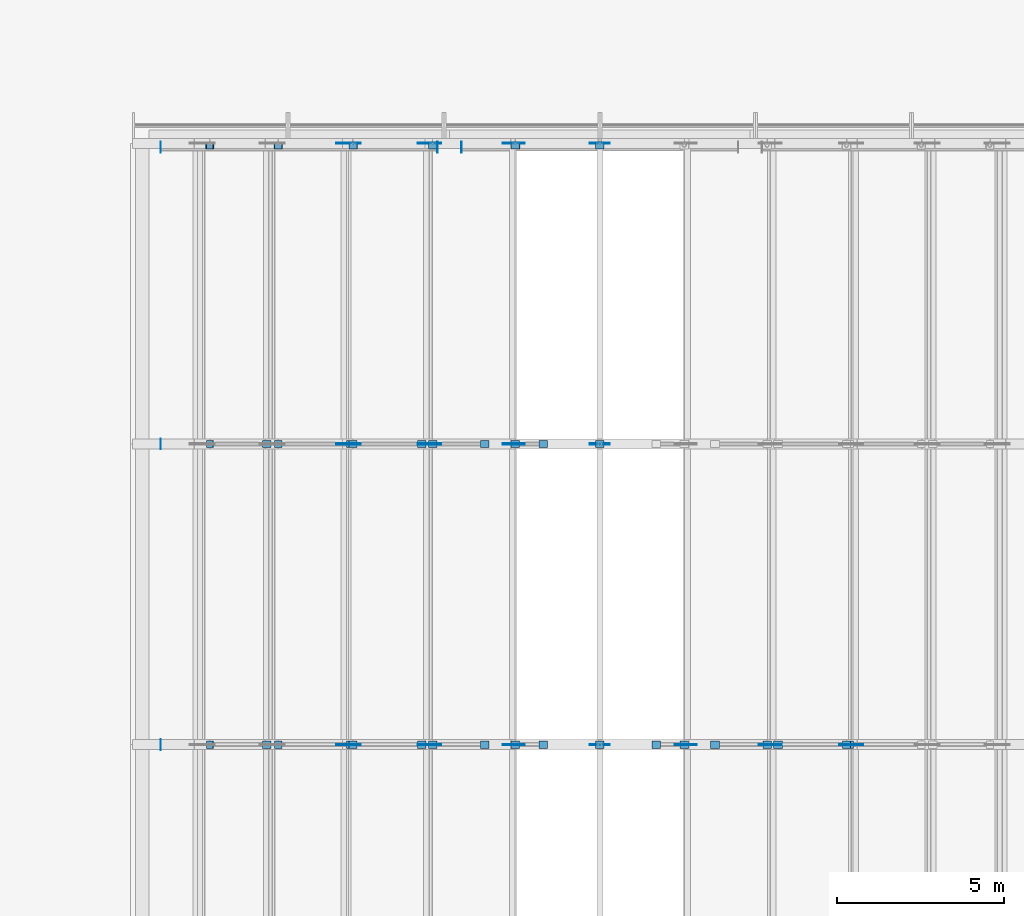
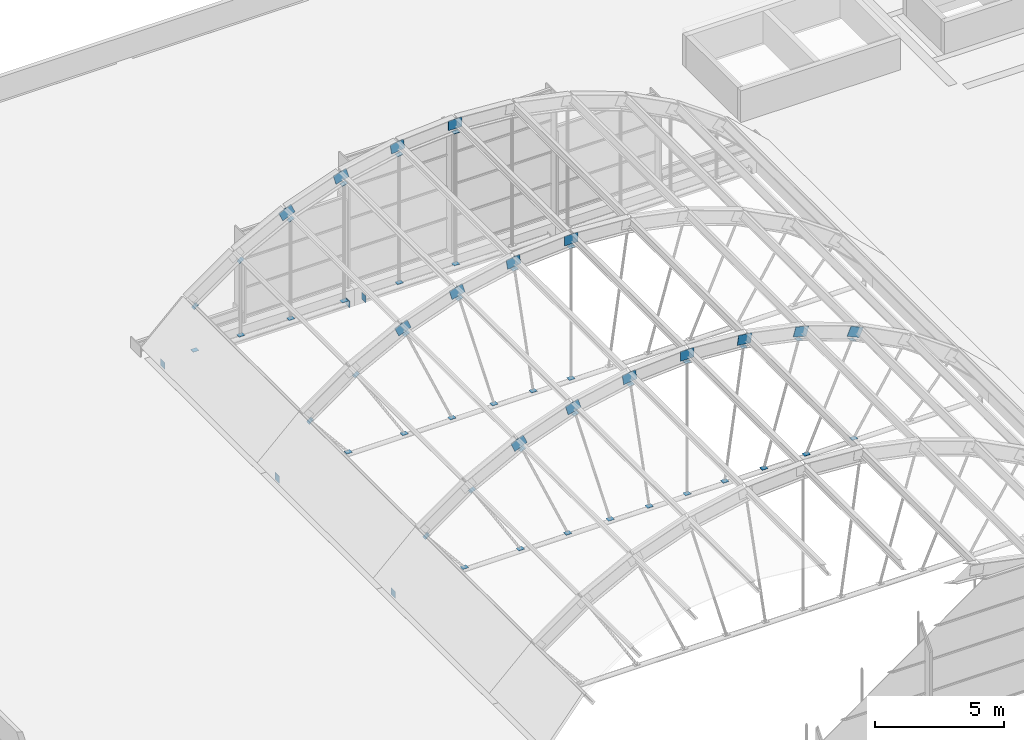
# One storey, part 39 of 43: 78 discrete accessories.
"""IFC4 building model written with IfcOpenShell, lengths in metres."""

from ifc_helpers import new_model, si_unit, direction, frame, origin, origin_2d, place, context, subcontext, project, spatial, rectangle, extrude, material, material_profile, profile_set, type_object, element, save


model = new_model("IFC4")

# Units and contexts
model_context = context("Model", 3, precision=1e-05, world=origin(), true_north=direction((0.0, 1.0)))
body_context = subcontext(model_context, "Body", "Model", "MODEL_VIEW")
ifc_project = project(units=[si_unit("LENGTHUNIT", "METRE"), si_unit("AREAUNIT", "SQUARE_METRE"), si_unit("VOLUMEUNIT", "CUBIC_METRE"), si_unit("PLANEANGLEUNIT", "RADIAN"), si_unit("MASSUNIT", "GRAM", prefix="KILO")], contexts=[model_context])

# Site, building, storey
site_placement = place(None, origin())
site = spatial("IfcSite", under=ifc_project, at=site_placement, CompositionType="ELEMENT")
building_placement = place(site_placement, origin())
building = spatial("IfcBuilding", under=site, at=building_placement, Name="Guidao Yard Department Store", CompositionType="ELEMENT")
storey_placement = place(building_placement, frame((0.0, 0.0, 28.5)))
storey = spatial("IfcBuildingStorey", under=building, at=storey_placement, Name="L06", CompositionType="ELEMENT", Elevation=28.5)

# Discrete accessories
ifc_material_1 = material(Name="Steel Q355B", Category="steel")
ifc_material_profile_1 = material_profile(ifc_material_1, rectangle(XDim=0.011962890625, YDim=0.449951171875, at=origin_2d()), Name="Splice plate 450x12")
ifc_profile_set_1 = profile_set([ifc_material_profile_1], Name="Steel Q355B")
discrete_accessory_type_1 = type_object("IfcDiscreteAccessoryType", Name="Rib splice plate SP2 steel", PredefinedType="BRACKET", material=ifc_profile_set_1)
for number, where, z_axis, x_axis, name in (
    (1, (23.69873046875, 71.987548828125, 4.56689453125), (0.916642434779, 0.0, 0.399708202022), (0.0, 1.0, 0.0), "Rib splice plate A03-03A"),
    (2, (23.69873046875, 72.012451171875, 4.56689453125), (0.916642434779, 0.0, 0.399708202022), (0.0, 1.0, 0.0), "Rib splice plate A03-03B"),
):
    element("IfcDiscreteAccessory", number, at=place(storey_placement, frame(where, z_axis=z_axis, x_axis=x_axis)), inside=storey, type_object=discrete_accessory_type_1, Name=name, PredefinedType="BRACKET", context=body_context, shape_type="SweptSolid", body=[
        extrude(rectangle(XDim=0.011962890625, YDim=0.449951171875, at=origin_2d()), origin(), (0.0, 0.0, 1.0), 0.599853515625),
    ])
for number, where, z_axis, x_axis, name in (
    (3, (26.11083984375, 71.987548828125, 5.470703125), (0.962697322313, 0.0, 0.270580608342), (0.0, 1.0, 0.0), "Rib splice plate A03-04A"),
    (4, (26.11083984375, 72.012451171875, 5.470703125), (0.962697322313, 0.0, 0.270580608342), (0.0, 1.0, 0.0), "Rib splice plate A03-04B"),
    (5, (28.627685546875, 71.987548828125, 6.036865234375), (0.990613532421, 0.0, 0.13669246279), (0.0, 1.0, 0.0), "Rib splice plate A03-05A"),
    (6, (28.627685546875, 72.012451171875, 6.036865234375), (0.990613532421, 0.0, 0.13669246279), (0.0, 1.0, 0.0), "Rib splice plate A03-05B"),
    (7, (31.199951171875, 71.987548828125, 6.25439453125), (1.0, 0.0, 0.0), (0.0, 1.0, 0.0), "Rib splice plate A03-06A"),
    (8, (31.199951171875, 72.012451171875, 6.25439453125), (1.0, 0.0, 0.0), (0.0, 1.0, 0.0), "Rib splice plate A03-06B"),
    (9, (33.77783203125, 71.987548828125, 6.118896484375), (0.990613532421, 0.0, -0.13669246279), (0.0, 1.0, 0.0), "Rib splice plate A03-07A"),
    (10, (33.77783203125, 72.012451171875, 6.118896484375), (0.990613532421, 0.0, -0.13669246279), (0.0, 1.0, 0.0), "Rib splice plate A03-07B"),
    (11, (36.3115234375, 71.987548828125, 5.633056640625), (0.962697322313, 0.0, -0.270580608342), (0.0, 1.0, 0.0), "Rib splice plate A03-08A"),
    (12, (36.3115234375, 72.012451171875, 5.633056640625), (0.962697322313, 0.0, -0.270580608342), (0.0, 1.0, 0.0), "Rib splice plate A03-08B"),
):
    element("IfcDiscreteAccessory", number, at=place(storey_placement, frame(where, z_axis=z_axis, x_axis=x_axis)), inside=storey, type_object=discrete_accessory_type_1, Name=name, PredefinedType="BRACKET", context=body_context, shape_type="SweptSolid", body=[
        extrude(rectangle(XDim=0.011962890625, YDim=0.449951171875, at=origin_2d()), origin(), (0.0, 0.0, 1.0), 0.60009765625),
    ])
for number, where, z_axis, x_axis, name in (
    (13, (38.75146484375, 71.987548828125, 4.806640625), (0.916642434779, 0.0, -0.399708202022), (0.0, 1.0, 0.0), "Rib splice plate A03-09A"),
    (14, (38.75146484375, 72.012451171875, 4.806640625), (0.916642434779, 0.0, -0.399708202022), (0.0, 1.0, 0.0), "Rib splice plate A03-09B"),
    (15, (23.69873046875, 80.987548828125, 4.56689453125), (0.916642434779, 0.0, 0.399708202022), (0.0, 1.0, 0.0), "Rib splice plate A04-03A"),
    (16, (23.69873046875, 81.012451171875, 4.56689453125), (0.916642434779, 0.0, 0.399708202022), (0.0, 1.0, 0.0), "Rib splice plate A04-03B"),
):
    element("IfcDiscreteAccessory", number, at=place(storey_placement, frame(where, z_axis=z_axis, x_axis=x_axis)), inside=storey, type_object=discrete_accessory_type_1, Name=name, PredefinedType="BRACKET", context=body_context, shape_type="SweptSolid", body=[
        extrude(rectangle(XDim=0.011962890625, YDim=0.449951171875, at=origin_2d()), origin(), (0.0, 0.0, 1.0), 0.599853515625),
    ])
for number, where, z_axis, x_axis, name in (
    (17, (26.11083984375, 80.987548828125, 5.470703125), (0.962697322313, 0.0, 0.270580608342), (0.0, 1.0, 0.0), "Rib splice plate A04-04A"),
    (18, (26.11083984375, 81.012451171875, 5.470703125), (0.962697322313, 0.0, 0.270580608342), (0.0, 1.0, 0.0), "Rib splice plate A04-04B"),
    (19, (28.627685546875, 80.987548828125, 6.036865234375), (0.990613532421, 0.0, 0.13669246279), (0.0, 1.0, 0.0), "Rib splice plate A04-05A"),
    (20, (28.627685546875, 81.012451171875, 6.036865234375), (0.990613532421, 0.0, 0.13669246279), (0.0, 1.0, 0.0), "Rib splice plate A04-05B"),
    (21, (31.199951171875, 80.987548828125, 6.25439453125), (1.0, 0.0, 0.0), (0.0, 1.0, 0.0), "Rib splice plate A04-06A"),
    (22, (31.199951171875, 81.012451171875, 6.25439453125), (1.0, 0.0, 0.0), (0.0, 1.0, 0.0), "Rib splice plate A04-06B"),
):
    element("IfcDiscreteAccessory", number, at=place(storey_placement, frame(where, z_axis=z_axis, x_axis=x_axis)), inside=storey, type_object=discrete_accessory_type_1, Name=name, PredefinedType="BRACKET", context=body_context, shape_type="SweptSolid", body=[
        extrude(rectangle(XDim=0.011962890625, YDim=0.449951171875, at=origin_2d()), origin(), (0.0, 0.0, 1.0), 0.60009765625),
    ])
for number, where, z_axis, x_axis, name in (
    (23, (23.69873046875, 89.987548828125, 4.56689453125), (0.916642434779, 0.0, 0.399708202022), (0.0, 1.0, 0.0), "Rib splice plate A05-03A"),
    (24, (23.69873046875, 90.012451171875, 4.56689453125), (0.916642434779, 0.0, 0.399708202022), (0.0, 1.0, 0.0), "Rib splice plate A05-03B"),
):
    element("IfcDiscreteAccessory", number, at=place(storey_placement, frame(where, z_axis=z_axis, x_axis=x_axis)), inside=storey, type_object=discrete_accessory_type_1, Name=name, PredefinedType="BRACKET", context=body_context, shape_type="SweptSolid", body=[
        extrude(rectangle(XDim=0.011962890625, YDim=0.449951171875, at=origin_2d()), origin(), (0.0, 0.0, 1.0), 0.599853515625),
    ])
for number, where, z_axis, x_axis, name in (
    (25, (26.11083984375, 89.987548828125, 5.470703125), (0.962697322313, 0.0, 0.270580608342), (0.0, 1.0, 0.0), "Rib splice plate A05-04A"),
    (26, (26.11083984375, 90.012451171875, 5.470703125), (0.962697322313, 0.0, 0.270580608342), (0.0, 1.0, 0.0), "Rib splice plate A05-04B"),
    (27, (28.627685546875, 89.987548828125, 6.036865234375), (0.990613532421, 0.0, 0.13669246279), (0.0, 1.0, 0.0), "Rib splice plate A05-05A"),
    (28, (28.627685546875, 90.012451171875, 6.036865234375), (0.990613532421, 0.0, 0.13669246279), (0.0, 1.0, 0.0), "Rib splice plate A05-05B"),
    (29, (31.199951171875, 89.987548828125, 6.25439453125), (1.0, 0.0, 0.0), (0.0, 1.0, 0.0), "Rib splice plate A05-06A"),
    (30, (31.199951171875, 90.012451171875, 6.25439453125), (1.0, 0.0, 0.0), (0.0, 1.0, 0.0), "Rib splice plate A05-06B"),
):
    element("IfcDiscreteAccessory", number, at=place(storey_placement, frame(where, z_axis=z_axis, x_axis=x_axis)), inside=storey, type_object=discrete_accessory_type_1, Name=name, PredefinedType="BRACKET", context=body_context, shape_type="SweptSolid", body=[
        extrude(rectangle(XDim=0.011962890625, YDim=0.449951171875, at=origin_2d()), origin(), (0.0, 0.0, 1.0), 0.60009765625),
    ])
ifc_material_2 = material(Name="Steel Q355B", Category="steel")
ifc_material_profile_2 = material_profile(ifc_material_2, rectangle(XDim=0.327880859375, YDim=0.011962890625, at=origin_2d()), Name="Node plate 328x12")
ifc_profile_set_2 = profile_set([ifc_material_profile_2], Name="Steel Q355B")
discrete_accessory_type_2 = type_object("IfcDiscreteAccessoryType", Name="Tie end plate NP3 328 steel", PredefinedType="BRACKET", material=ifc_profile_set_2)
for number, where, z_axis, x_axis, name in (
    (31, (18.35595703125, 71.8359375, -0.449951171875), (0.0, 1.0, 0.0), (0.0, 0.0, 1.0), "Tie end plate A03L"),
    (32, (18.35595703125, 80.8359375, -0.449951171875), (0.0, 1.0, 0.0), (0.0, 0.0, 1.0), "Tie end plate A04L"),
):
    element("IfcDiscreteAccessory", number, at=place(storey_placement, frame(where, z_axis=z_axis, x_axis=x_axis)), inside=storey, type_object=discrete_accessory_type_2, Name=name, PredefinedType="BRACKET", context=body_context, shape_type="SweptSolid", body=[
        extrude(rectangle(XDim=0.327880859375, YDim=0.011962890625, at=origin_2d()), origin(), (0.0, 0.0, 1.0), 0.328125),
    ])
for number, where, z_axis, x_axis, name in (
    (33, (18.35595703125, 89.716064453125, -0.449951171875), (0.0, 1.0, 0.0), (0.0, 0.0, 1.0), "Tie end plate A05-1L"),
    (34, (26.64404296875, 89.716064453125, -0.449951171875), (0.0, 1.0, 0.0), (0.0, 0.0, 1.0), "Tie end plate A05-1R"),
    (35, (27.35595703125, 89.716064453125, -0.449951171875), (0.0, 1.0, 0.0), (0.0, 0.0, 1.0), "Tie end plate A05-2L"),
):
    element("IfcDiscreteAccessory", number, at=place(storey_placement, frame(where, z_axis=z_axis, x_axis=x_axis)), inside=storey, type_object=discrete_accessory_type_2, Name=name, PredefinedType="BRACKET", context=body_context, shape_type="SweptSolid", body=[
        extrude(rectangle(XDim=0.327880859375, YDim=0.011962890625, at=origin_2d()), origin(), (0.0, 0.0, 1.0), 0.327880859375),
    ])
ifc_material_3 = material(Name="Steel Q355B", Category="steel")
ifc_material_profile_3 = material_profile(ifc_material_3, rectangle(XDim=0.260009765625, YDim=0.011962890625, at=origin_2d()), Name="Node plate 260x12")
ifc_profile_set_3 = profile_set([ifc_material_profile_3], Name="Steel Q355B")
discrete_accessory_type_3 = type_object("IfcDiscreteAccessoryType", Name="Web foot plate NP2 steel", PredefinedType="BRACKET", material=ifc_profile_set_3)
for number, where, z_axis, x_axis, name in (
    (36, (21.531982421875, 71.889892578125, -0.33447265625), (0.0, 1.0, 0.0), (-1.0, 0.0, 0.0), "Web foot plate A03-01F"),
    (37, (24.040283203125, 71.889892578125, -0.33447265625), (0.0, 1.0, 0.0), (-1.0, 0.0, 0.0), "Web foot plate A03-02F"),
    (38, (26.164306640625, 71.889892578125, -0.33447265625), (0.0, 1.0, 0.0), (-1.0, 0.0, 0.0), "Web foot plate A03-03F"),
    (39, (28.053955078125, 71.889892578125, -0.33447265625), (0.0, 1.0, 0.0), (-1.0, 0.0, 0.0), "Web foot plate A03-04F"),
    (40, (29.80810546875, 71.889892578125, -0.33447265625), (0.0, 1.0, 0.0), (-1.0, 0.0, 0.0), "Web foot plate A03-05F"),
    (41, (31.5, 71.889892578125, -0.33447265625), (0.0, 1.0, 0.0), (-1.0, 0.0, 0.0), "Web foot plate A03-06F"),
    (42, (33.19189453125, 71.889892578125, -0.33447265625), (0.0, 1.0, 0.0), (-1.0, 0.0, 0.0), "Web foot plate A03-07F"),
    (43, (34.946044921875, 71.889892578125, -0.33447265625), (0.0, 1.0, 0.0), (-1.0, 0.0, 0.0), "Web foot plate A03-08F"),
    (44, (36.835693359375, 71.889892578125, -0.33447265625), (0.0, 1.0, 0.0), (-1.0, 0.0, 0.0), "Web foot plate A03-09F"),
    (45, (38.959716796875, 71.889892578125, -0.33447265625), (0.0, 1.0, 0.0), (-1.0, 0.0, 0.0), "Web foot plate A03-10F"),
    (46, (21.531982421875, 80.889892578125, -0.33447265625), (0.0, 1.0, 0.0), (-1.0, 0.0, 0.0), "Web foot plate A04-01F"),
    (47, (24.040283203125, 80.889892578125, -0.33447265625), (0.0, 1.0, 0.0), (-1.0, 0.0, 0.0), "Web foot plate A04-02F"),
    (48, (26.164306640625, 80.889892578125, -0.33447265625), (0.0, 1.0, 0.0), (-1.0, 0.0, 0.0), "Web foot plate A04-03F"),
    (49, (28.053955078125, 80.889892578125, -0.33447265625), (0.0, 1.0, 0.0), (-1.0, 0.0, 0.0), "Web foot plate A04-04F"),
    (50, (29.80810546875, 80.889892578125, -0.33447265625), (0.0, 1.0, 0.0), (-1.0, 0.0, 0.0), "Web foot plate A04-05F"),
    (51, (31.5, 80.889892578125, -0.33447265625), (0.0, 1.0, 0.0), (-1.0, 0.0, 0.0), "Web foot plate A04-06F"),
):
    element("IfcDiscreteAccessory", number, at=place(storey_placement, frame(where, z_axis=z_axis, x_axis=x_axis)), inside=storey, type_object=discrete_accessory_type_3, Name=name, PredefinedType="BRACKET", context=body_context, shape_type="SweptSolid", body=[
        extrude(rectangle(XDim=0.260009765625, YDim=0.011962890625, at=origin_2d()), origin(), (0.0, 0.0, 1.0), 0.22021484375),
    ])
for number, where, z_axis, x_axis, name in (
    (52, (19.826416015625, 89.830078125, -0.33447265625), (0.0, 1.0, 0.0), (-1.0, 0.0, 0.0), "Web foot plate A05-01F"),
    (53, (21.876708984375, 89.830078125, -0.33447265625), (0.0, 1.0, 0.0), (-1.0, 0.0, 0.0), "Web foot plate A05-02F"),
    (54, (24.11376953125, 89.830078125, -0.33447265625), (0.0, 1.0, 0.0), (-1.0, 0.0, 0.0), "Web foot plate A05-03F"),
    (55, (26.49462890625, 89.830078125, -0.33447265625), (0.0, 1.0, 0.0), (-1.0, 0.0, 0.0), "Web foot plate A05-04F"),
    (56, (28.97265625, 89.830078125, -0.33447265625), (0.0, 1.0, 0.0), (-1.0, 0.0, 0.0), "Web foot plate A05-05F"),
    (57, (31.5, 89.830078125, -0.33447265625), (0.0, 1.0, 0.0), (-1.0, 0.0, 0.0), "Web foot plate A05-06F"),
):
    element("IfcDiscreteAccessory", number, at=place(storey_placement, frame(where, z_axis=z_axis, x_axis=x_axis)), inside=storey, type_object=discrete_accessory_type_3, Name=name, PredefinedType="BRACKET", context=body_context, shape_type="SweptSolid", body=[
        extrude(rectangle(XDim=0.260009765625, YDim=0.011962890625, at=origin_2d()), origin(), (0.0, 0.0, 1.0), 0.219970703125),
    ])
ifc_material_4 = material(Name="Steel Q355B", Category="steel")
ifc_material_profile_4 = material_profile(ifc_material_4, rectangle(XDim=0.260009765625, YDim=0.011962890625, at=origin_2d()), Name="Node plate 260x12")
ifc_profile_set_4 = profile_set([ifc_material_profile_4], Name="Steel Q355B")
discrete_accessory_type_4 = type_object("IfcDiscreteAccessoryType", Name="Web head plate NP1 steel", PredefinedType="BRACKET", material=ifc_profile_set_4)
for number, where, z_axis, x_axis, name in (
    (58, (19.826416015625, 71.889892578125, 1.740966796875), (0.0, 1.0, 0.0), (-0.772569517273, 0.0, -0.634930185911), "Web head plate A03-01H"),
    (59, (21.876708984375, 71.889892578125, 3.199951171875), (0.0, 1.0, 0.0), (-0.852874237271, 0.0, -0.522116400239), "Web head plate A03-02H"),
    (60, (24.11376953125, 71.889892578125, 4.365234375), (0.0, 1.0, 0.0), (-0.916571220375, 0.0, -0.399871476828), "Web head plate A03-03H"),
    (61, (26.49462890625, 71.889892578125, 5.214111328125), (0.0, 1.0, 0.0), (-0.962711909047, 0.0, -0.270528704906), "Web head plate A03-04H"),
    (62, (28.97265625, 71.889892578125, 5.730224609375), (0.0, 1.0, 0.0), (-0.990647128966, 0.0, -0.13644876647), "Web head plate A03-05H"),
    (63, (31.5, 71.889892578125, 5.903564453125), (0.0, 1.0, 0.0), (-1.0, 0.0, 0.0), "Web head plate A03-06H"),
    (64, (34.02734375, 71.889892578125, 5.730224609375), (0.0, 1.0, 0.0), (-0.990647128966, 0.0, 0.13644876647), "Web head plate A03-07H"),
    (65, (36.50537109375, 71.889892578125, 5.214111328125), (0.0, 1.0, 0.0), (-0.962711909047, 0.0, 0.270528704906), "Web head plate A03-08H"),
    (66, (38.88623046875, 71.889892578125, 4.365234375), (0.0, 1.0, 0.0), (-0.916571220375, 0.0, 0.399871476828), "Web head plate A03-09H"),
    (67, (19.826416015625, 80.889892578125, 1.740966796875), (0.0, 1.0, 0.0), (-0.772569517273, 0.0, -0.634930185911), "Web head plate A04-01H"),
    (68, (21.876708984375, 80.889892578125, 3.199951171875), (0.0, 1.0, 0.0), (-0.852874237271, 0.0, -0.522116400239), "Web head plate A04-02H"),
    (69, (24.11376953125, 80.889892578125, 4.365234375), (0.0, 1.0, 0.0), (-0.916571220375, 0.0, -0.399871476828), "Web head plate A04-03H"),
    (70, (26.49462890625, 80.889892578125, 5.214111328125), (0.0, 1.0, 0.0), (-0.962711909047, 0.0, -0.270528704906), "Web head plate A04-04H"),
    (71, (28.97265625, 80.889892578125, 5.730224609375), (0.0, 1.0, 0.0), (-0.990647128966, 0.0, -0.13644876647), "Web head plate A04-05H"),
    (72, (31.5, 80.889892578125, 5.903564453125), (0.0, 1.0, 0.0), (-1.0, 0.0, 0.0), "Web head plate A04-06H"),
):
    element("IfcDiscreteAccessory", number, at=place(storey_placement, frame(where, z_axis=z_axis, x_axis=x_axis)), inside=storey, type_object=discrete_accessory_type_4, Name=name, PredefinedType="BRACKET", context=body_context, shape_type="SweptSolid", body=[
        extrude(rectangle(XDim=0.260009765625, YDim=0.011962890625, at=origin_2d()), origin(), (0.0, 0.0, 1.0), 0.22021484375),
    ])
for number, where, z_axis, x_axis, name in (
    (73, (19.826416015625, 89.830078125, 1.740966796875), (0.0, 1.0, 0.0), (-0.772569517273, 0.0, -0.634930185911), "Web head plate A05-01H"),
    (74, (21.876708984375, 89.830078125, 3.199951171875), (0.0, 1.0, 0.0), (-0.852874237271, 0.0, -0.522116400239), "Web head plate A05-02H"),
    (75, (24.11376953125, 89.830078125, 4.365234375), (0.0, 1.0, 0.0), (-0.916571220375, 0.0, -0.399871476828), "Web head plate A05-03H"),
    (76, (26.49462890625, 89.830078125, 5.214111328125), (0.0, 1.0, 0.0), (-0.962711909047, 0.0, -0.270528704906), "Web head plate A05-04H"),
    (77, (28.97265625, 89.830078125, 5.730224609375), (0.0, 1.0, 0.0), (-0.990647128966, 0.0, -0.13644876647), "Web head plate A05-05H"),
    (78, (31.5, 89.830078125, 5.903564453125), (0.0, 1.0, 0.0), (-1.0, 0.0, 0.0), "Web head plate A05-06H"),
):
    element("IfcDiscreteAccessory", number, at=place(storey_placement, frame(where, z_axis=z_axis, x_axis=x_axis)), inside=storey, type_object=discrete_accessory_type_4, Name=name, PredefinedType="BRACKET", context=body_context, shape_type="SweptSolid", body=[
        extrude(rectangle(XDim=0.260009765625, YDim=0.011962890625, at=origin_2d()), origin(), (0.0, 0.0, 1.0), 0.219970703125),
    ])

save(model, "model.ifc")
